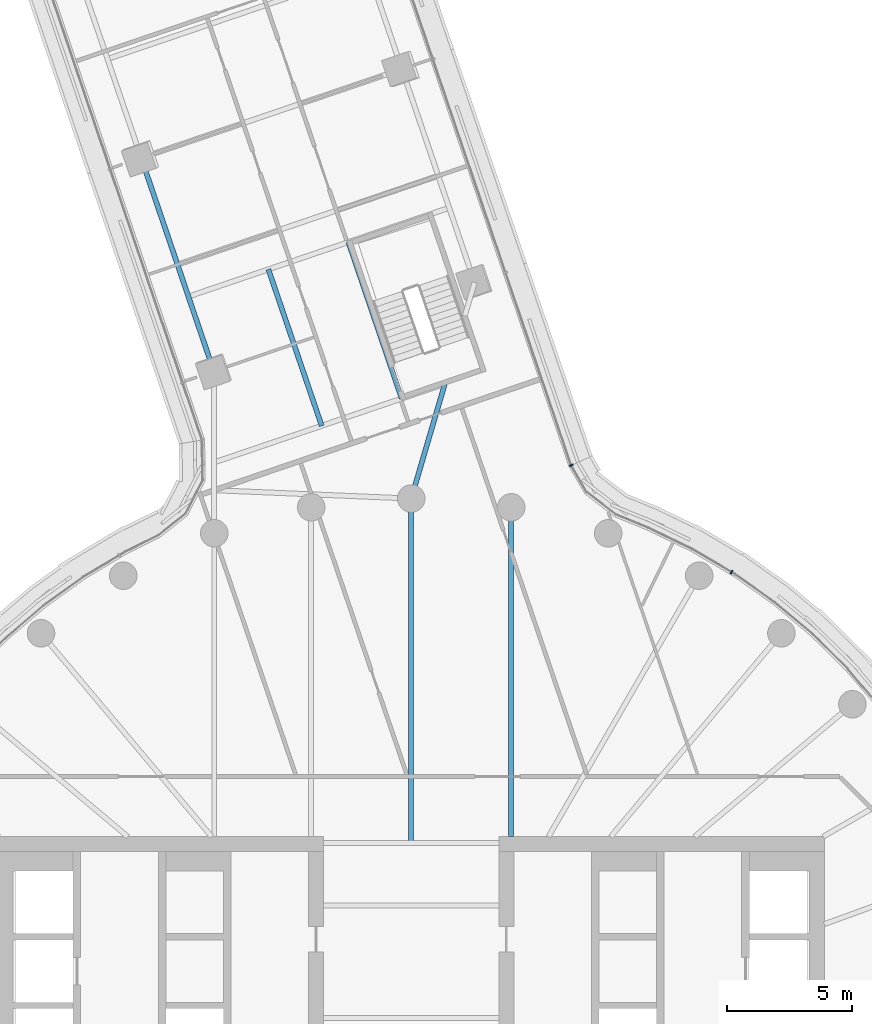
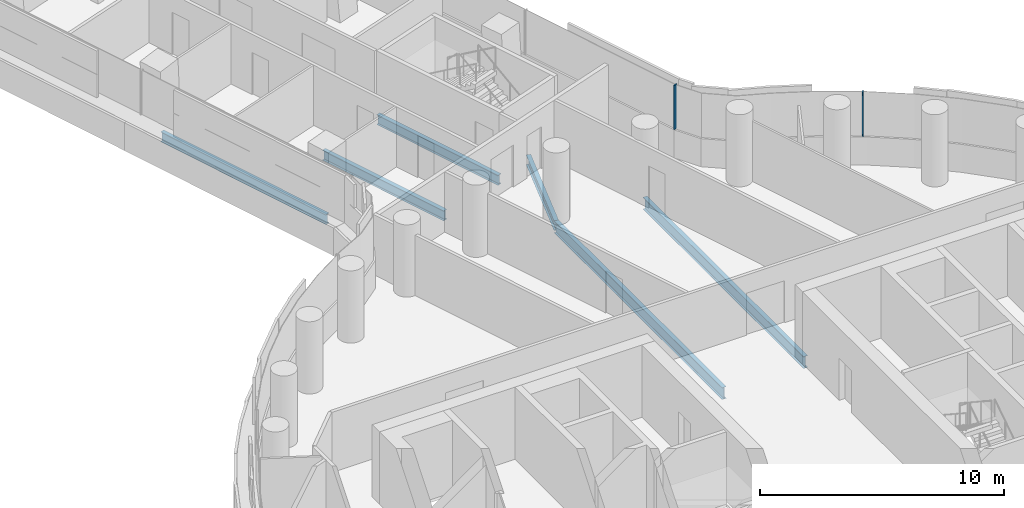
# One storey, part 13 of 29: 6 beams, 2 members, 2 elements without a shape of their own.
"""IFC4 building model written with IfcOpenShell, lengths in metres."""

from ifc_helpers import new_model, si_unit, direction, frame, origin, origin_2d, place, context, subcontext, project, spatial, rectangle, i_section, extrude, material, layer, layer_set, material_profile, profile_set, type_object, element, aggregate, save


model = new_model("IFC4")

# Units and contexts
model_context = context("Model", 3, precision=1e-05, world=origin(), true_north=direction((0.0, 1.0)))
body_context = subcontext(model_context, "Body", "Model", "MODEL_VIEW")
ifc_project = project(units=[si_unit("LENGTHUNIT", "METRE"), si_unit("AREAUNIT", "SQUARE_METRE"), si_unit("VOLUMEUNIT", "CUBIC_METRE"), si_unit("PLANEANGLEUNIT", "RADIAN"), si_unit("MASSUNIT", "GRAM", prefix="KILO")], contexts=[model_context])

# Site, building, storey
site_placement = place(None, origin())
site = spatial("IfcSite", under=ifc_project, at=site_placement, CompositionType="ELEMENT")
building_placement = place(site_placement, origin())
building = spatial("IfcBuilding", under=site, at=building_placement, Name="Tamarind Cross Interchange Tower", CompositionType="ELEMENT")
storey_placement = place(building_placement, frame((0.0, 0.0, 102.25)))
storey = spatial("IfcBuildingStorey", under=building, at=storey_placement, Name="L24", CompositionType="ELEMENT", Elevation=102.25)

# Beams
ifc_material_1 = material(Name="Steel Q355B", Category="steel")
ifc_material_profile_1 = material_profile(ifc_material_1, i_section(OverallWidth=0.198974609375, OverallDepth=0.49609375, WebThickness=0.009033203125, FlangeThickness=0.013916015625, FilletRadius=0.012939453125, at=origin_2d()), Name="HN 496x199x9x14")
ifc_profile_set_1 = profile_set([ifc_material_profile_1], Name="Steel Q355B")
beam_type_1 = type_object("IfcBeamType", Name="Composite beam HN 496x199x9x14 Q355B", PredefinedType="BEAM", material=ifc_profile_set_1)
beam_1_placement = place(storey_placement, frame((-10.783447265625, 36.603271484375, -0.387939453125), z_axis=(0.322373446849, -0.946612571629, 0.0), x_axis=(0.946612571629, 0.322373446849, 0.0)))
element("IfcBeam", 1, at=beam_1_placement, inside=storey, type_object=beam_type_1, Name="Beam N-edgeep3", PredefinedType="BEAM", context=body_context, shape_type="SweptSolid", body=[
    extrude(i_section(OverallWidth=0.198974609375, OverallDepth=0.49609375, WebThickness=0.009033203125, FlangeThickness=0.013916015625, FilletRadius=0.012939453125, at=origin_2d()), origin(), (0.0, 0.0, 1.0), 9.0),
])
beam_2_placement = place(storey_placement, frame((1.360595703125, 27.6396484375, -0.387939453125), z_axis=(-0.281403516891, -0.959589527184, 0.0), x_axis=(0.959589527184, -0.281403516891, 0.0)))
element("IfcBeam", 2, at=beam_2_placement, inside=storey, type_object=beam_type_1, Name="Beam N-linkemt1", PredefinedType="BEAM", context=body_context, shape_type="SweptSolid", body=[
    extrude(i_section(OverallWidth=0.198974609375, OverallDepth=0.49609375, WebThickness=0.009033203125, FlangeThickness=0.013916015625, FilletRadius=0.012939453125, at=origin_2d()), origin(), (0.0, 0.0, 1.0), 4.8349609375),
])
for number, where, z_axis, x_axis, name in (
    (3, (-0.380126953125, 26.994140625, -0.387939453125), (-0.322380172008, 0.946610281318, 0.0), (-0.946610281318, -0.322380172008, 0.0), "Beam N-tr1"),
    (4, (-3.574951171875, 25.906005859375, -0.387939453125), (-0.322380172008, 0.946610281318, 0.0), (-0.946610281318, -0.322380172008, 0.0), "Beam N-stripp"),
):
    element("IfcBeam", number, at=place(storey_placement, frame(where, z_axis=z_axis, x_axis=x_axis)), inside=storey, type_object=beam_type_1, Name=name, PredefinedType="BEAM", context=body_context, shape_type="SweptSolid", body=[
        extrude(i_section(OverallWidth=0.198974609375, OverallDepth=0.49609375, WebThickness=0.009033203125, FlangeThickness=0.013916015625, FilletRadius=0.012939453125, at=origin_2d()), origin(), (0.0, 0.0, 1.0), 6.599853515625),
    ])
ifc_material_profile_2 = material_profile(ifc_material_1, i_section(OverallWidth=0.198974609375, OverallDepth=0.595947265625, WebThickness=0.010009765625, FlangeThickness=0.014892578125, FilletRadius=0.012939453125, at=origin_2d()), Name="HN 596x199x10x15")
ifc_profile_set_2 = profile_set([ifc_material_profile_2], Name="Steel Q355B")
beam_type_2 = type_object("IfcBeamType", Name="Composite beam HN 596x199x10x15 Q355B", PredefinedType="BEAM", material=ifc_profile_set_2)
beam_3_placement = place(storey_placement, frame((3.993896484375, 22.650634765625, -0.43798828125), z_axis=(0.0, -1.0, 0.0), x_axis=(1.0, 0.0, 0.0)))
element("IfcBeam", 5, at=beam_3_placement, inside=storey, type_object=beam_type_2, Name="Beam HH08", PredefinedType="BEAM", context=body_context, shape_type="SweptSolid", body=[
    extrude(i_section(OverallWidth=0.198974609375, OverallDepth=0.595947265625, WebThickness=0.010009765625, FlangeThickness=0.014892578125, FilletRadius=0.012939453125, at=origin_2d()), origin(), (0.0, 0.0, 1.0), 13.150634765625),
])
beam_4_placement = place(storey_placement, frame((0.0, 23.0, -0.43798828125), z_axis=(0.0, -1.0, 0.0), x_axis=(1.0, 0.0, 0.0)))
element("IfcBeam", 6, at=beam_4_placement, inside=storey, type_object=beam_type_2, Name="Beam HH09", PredefinedType="BEAM", context=body_context, shape_type="SweptSolid", body=[
    extrude(i_section(OverallWidth=0.198974609375, OverallDepth=0.595947265625, WebThickness=0.010009765625, FlangeThickness=0.014892578125, FilletRadius=0.012939453125, at=origin_2d()), origin(), (0.0, 0.0, 1.0), 13.75),
])

# Curtain wall, member
ifc_material_2 = material(Name="Aluminium 6063-T6", Category="aluminium")
ifc_layer = layer(ifc_material_2, 0.159912109375)
ifc_layer_set = layer_set([ifc_layer], Name="Aluminium 6063-T6")
curtain_wall_type = type_object("IfcCurtainWallType", Name="Office curtain wall, 9.0 m bays", PredefinedType="NOTDEFINED", material=ifc_layer_set)
curtain_wall_1_placement = place(storey_placement, origin())
curtain_wall_1 = element("IfcCurtainWall", 7, at=curtain_wall_1_placement, inside=storey, type_object=curtain_wall_type, Name="CWS-L24-10", PredefinedType="NOTDEFINED")
ifc_material_profile_3 = material_profile(ifc_material_2, rectangle(XDim=0.06005859375, YDim=0.159912109375, at=origin_2d()), Name="Mullion CW1")
ifc_profile_set_3 = profile_set([ifc_material_profile_3], Name="Aluminium 6063-T6")
member_type = type_object("IfcMemberType", Name="Mullion CW1", PredefinedType="MULLION", material=ifc_profile_set_3)
member_1_placement = place(storey_placement, frame((12.787841796875, 20.060302734375, 1.39990234375), z_axis=(0.0, 0.0, 1.0), x_axis=(-0.861248933065, 0.508183308752, 0.0)))
member_1 = element("IfcMember", 8, at=member_1_placement, type_object=member_type, Name="CWM-L24-10-02", PredefinedType="MULLION", context=body_context, shape_type="SweptSolid", body=[
    extrude(rectangle(XDim=0.06005859375, YDim=0.159912109375, at=origin_2d()), origin(), (0.0, 0.0, 1.0), 2.210205078125),
])
aggregate(curtain_wall_1, [member_1])

curtain_wall_2_placement = place(storey_placement, origin())
curtain_wall_2 = element("IfcCurtainWall", 9, at=curtain_wall_2_placement, inside=storey, type_object=curtain_wall_type, Name="CWS-L24-11", PredefinedType="NOTDEFINED")
member_2_placement = place(storey_placement, frame((6.391357421875, 24.326416015625, 1.39990234375), z_axis=(0.0, 0.0, 1.0), x_axis=(-0.414246008774, 0.910164954398, 0.0)))
member_2 = element("IfcMember", 10, at=member_2_placement, type_object=member_type, Name="CWM-L24-11-00", PredefinedType="MULLION", context=body_context, shape_type="SweptSolid", body=[
    extrude(rectangle(XDim=0.06005859375, YDim=0.159912109375, at=origin_2d()), origin(), (0.0, 0.0, 1.0), 2.210205078125),
])
aggregate(curtain_wall_2, [member_2])

save(model, "model.ifc")
